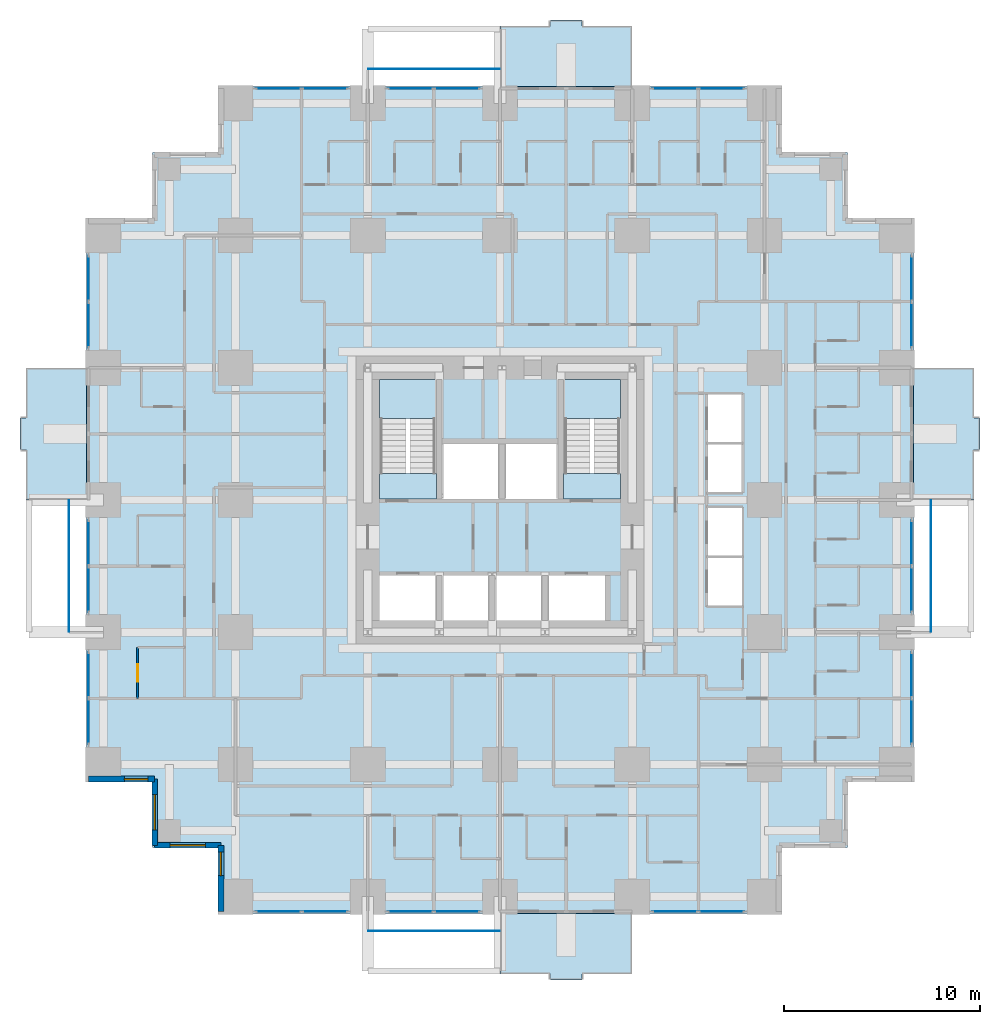
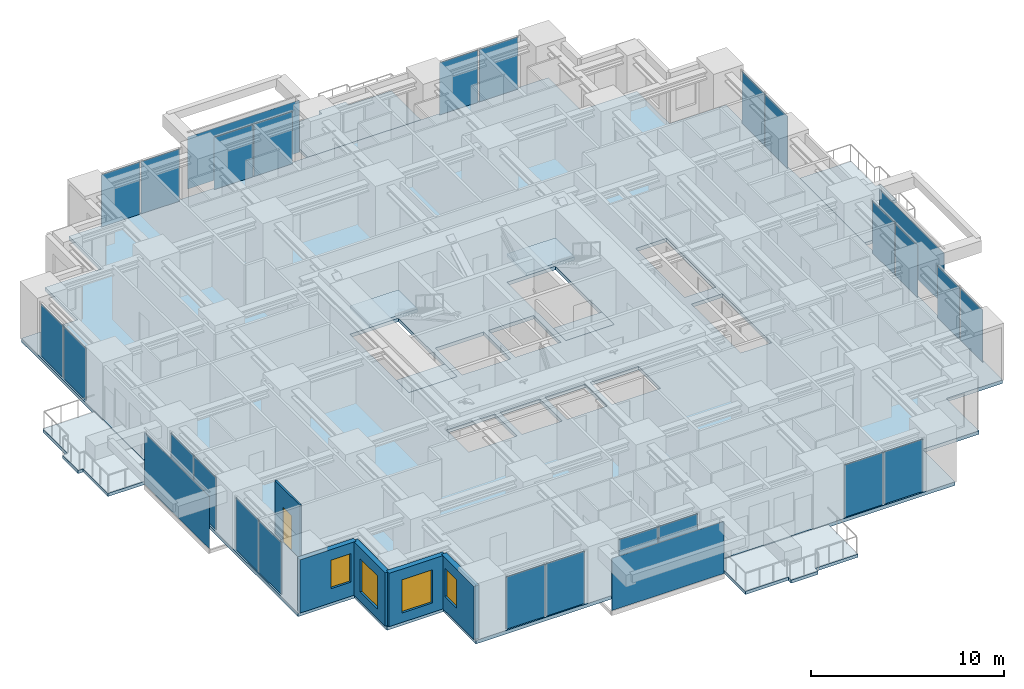
# One storey, part 7 of 14: 28 plates, 9 slabs, 5 walls, 4 windows, 1 door, 5 openings, 14 elements without a shape of their own.
"""IFC4 building model written with IfcOpenShell, lengths in metres."""

import ifcopenshell
import ifcopenshell.guid

model = None  # the IFC model being written
_history = None  # IfcOwnerHistory: only IFC2X3 demands one
_inside = {}  # id of a spatial element -> (the spatial element, [elements in it])
_under = {}  # id of a project, library or spatial element -> (it, [spatial elements below it])
_declared = {}  # id of a project -> (the project, [libraries it declares])
_typed = {}  # id of a type object -> (the type object, [elements of that type])
_made_of = {}  # id of a material, layer set ... -> (it, [elements and type objects made of it])


def new_model(schema):
    """Start an empty IFC model of exactly this schema.

    Asked for "IFC4X3", IfcOpenShell would pick the latest addendum, in which some entities
    have other attributes; the version numbers below select the first issue.
    IFC2X3 requires an IfcOwnerHistory on every rooted entity: one is made here for all.
    """
    global model, _history
    if schema == "IFC4X3":
        model = ifcopenshell.file(schema_version=(4, 3, 0, 0))
    else:
        model = ifcopenshell.file(schema=schema)
    _inside.clear()
    _under.clear()
    _declared.clear()
    _typed.clear()
    _made_of.clear()
    _history = None
    if model.schema == "IFC2X3":
        org = make("IfcOrganization", Name="unknown")
        user = make(
            "IfcPersonAndOrganization",
            ThePerson=make("IfcPerson", FamilyName="unknown"),
            TheOrganization=org,
        )
        app = make(
            "IfcApplication",
            ApplicationDeveloper=org,
            Version="unknown",
            ApplicationFullName="unknown",
            ApplicationIdentifier="unknown",
        )
        _history = make(
            "IfcOwnerHistory",
            OwningUser=user,
            OwningApplication=app,
            ChangeAction="ADDED",
            CreationDate=0,
        )
    return model


def make(cls, **values):
    """One entity of the class cls with the attributes given. An attribute that is None is left unset."""
    return model.create_entity(
        cls, **{name: value for name, value in values.items() if value is not None}
    )


def rooted(cls, **values):
    """An entity with a GlobalId (a new one), such as an element, a storey or a relation."""
    return make(cls, GlobalId=ifcopenshell.guid.new(), OwnerHistory=_history, **values)


def si_unit(unit_type, name, prefix=None):
    """IfcSIUnit, for example si_unit("LENGTHUNIT", "METRE", prefix="MILLI")."""
    return make("IfcSIUnit", UnitType=unit_type, Prefix=prefix, Name=name)


def assignment(units):
    """IfcUnitAssignment: the units of a project."""
    return None if units is None else make("IfcUnitAssignment", Units=units)


def point(xyz):
    """IfcCartesianPoint."""
    return None if xyz is None else make("IfcCartesianPoint", Coordinates=xyz)


def direction(xyz):
    """IfcDirection."""
    return None if xyz is None else make("IfcDirection", DirectionRatios=xyz)


def frame(location, z_axis=None, x_axis=None):
    """IfcAxis2Placement3D, a coordinate frame: its origin and axes. An axis left out is left unset."""
    return make(
        "IfcAxis2Placement3D",
        Location=point(location),
        Axis=direction(z_axis),
        RefDirection=direction(x_axis),
    )


def frame_2d(location, x_axis=None):
    """IfcAxis2Placement2D, a coordinate frame in the plane: its origin and x axis."""
    return make(
        "IfcAxis2Placement2D", Location=point(location), RefDirection=direction(x_axis)
    )


def origin():
    """The frame at (0, 0, 0) with its axes left unset."""
    return frame((0.0, 0.0, 0.0))


def origin_2d():
    """The frame at (0, 0) in the plane with its x axis left unset."""
    return frame_2d((0.0, 0.0))


def place(relative_to, where):
    """IfcLocalPlacement: puts the frame where relative to a parent placement (None: the world)."""
    return make(
        "IfcLocalPlacement", PlacementRelTo=relative_to, RelativePlacement=where
    )


def context(
    kind, dimensions, precision=None, world=None, true_north=None, identifier=None
):
    """IfcGeometricRepresentationContext, for example the 3D "Model" context."""
    return make(
        "IfcGeometricRepresentationContext",
        ContextIdentifier=identifier,
        ContextType=kind,
        CoordinateSpaceDimension=dimensions,
        Precision=precision,
        WorldCoordinateSystem=world,
        TrueNorth=true_north,
    )


def subcontext(parent, identifier, kind, view, scale=None):
    """IfcGeometricRepresentationSubContext, for example "Body" below "Model"."""
    return make(
        "IfcGeometricRepresentationSubContext",
        ContextIdentifier=identifier,
        ContextType=kind,
        ParentContext=parent,
        TargetScale=scale,
        TargetView=view,
    )


def project(units=None, contexts=None):
    """IfcProject with its units and contexts."""
    return rooted(
        "IfcProject",
        Name="project",
        RepresentationContexts=contexts,
        UnitsInContext=assignment(units),
    )


def spatial(cls, under=None, at=None, **own):
    """A site, building, storey or space (cls), placed at a placement, below another one or the project."""
    s = rooted(cls, ObjectPlacement=at, **own)
    if under is not None:
        _under.setdefault(under.id(), (under, []))[1].append(s)
    return s


def polyline(points):
    """IfcPolyline through the points."""
    return make("IfcPolyline", Points=[point(p) for p in points])


def profile(cls, at=None, kind="AREA", **sizes):
    """A parametric profile (cls). Its sizes go by their IFC names, for example OverallWidth=200.0."""
    return make(cls, ProfileType=kind, Position=at, **sizes)


def rectangle(**sizes):
    """IfcRectangleProfileDef."""
    return profile("IfcRectangleProfileDef", **sizes)


def outline(outer, holes=None, kind="AREA"):
    """IfcArbitraryClosedProfileDef: a profile drawn as a closed curve; with holes, ...WithVoids."""
    if holes is None:
        return make("IfcArbitraryClosedProfileDef", ProfileType=kind, OuterCurve=outer)
    return make(
        "IfcArbitraryProfileDefWithVoids",
        ProfileType=kind,
        OuterCurve=outer,
        InnerCurves=holes,
    )


def extrude(swept, where, along, depth):
    """IfcExtrudedAreaSolid: the profile swept, set in the frame where, extruded along a direction by depth."""
    return make(
        "IfcExtrudedAreaSolid",
        SweptArea=swept,
        Position=where,
        ExtrudedDirection=direction(along),
        Depth=depth,
    )


def shape(context_of_items, identifier, shape_type, items):
    """IfcShapeRepresentation: the items that make up one representation, for example the "Body"."""
    return make(
        "IfcShapeRepresentation",
        ContextOfItems=context_of_items,
        RepresentationIdentifier=identifier,
        RepresentationType=shape_type,
        Items=items,
    )


def material(Name=None, Category=None):
    """IfcMaterial."""
    return make("IfcMaterial", Name=Name, Category=Category)


def layer(
    of_material, thickness, ventilated=None, Name=None, Category=None, Priority=None
):
    """IfcMaterialLayer: one layer of a wall or slab, of a material (None: an air gap)."""
    return make(
        "IfcMaterialLayer",
        Material=of_material,
        LayerThickness=thickness,
        IsVentilated=ventilated,
        Name=Name,
        Category=Category,
        Priority=Priority,
    )


def layer_set(layers, Name=None):
    """IfcMaterialLayerSet."""
    return make("IfcMaterialLayerSet", MaterialLayers=layers, LayerSetName=Name)


def made_of(thing, what):
    """Note that an element or type object is made of a material, layer set ...; save() writes the relation."""
    if what is not None:
        _made_of.setdefault(what.id(), (what, []))[1].append(thing)
    return thing


def type_object(cls, material=None, **own):
    """A type object (cls), such as IfcWallType, which elements share."""
    return made_of(rooted(cls, **own), material)


def element(
    cls,
    number,
    at=None,
    inside=None,
    cuts=None,
    type_object=None,
    material=None,
    context=None,
    identifier="Body",
    shape_type=None,
    held_by="IfcProductDefinitionShape",
    body=None,
    shapes=None,
    **own,
):
    """One element of the class cls, such as IfcWall. Its Tag is "e" and its number.

    at: its placement. inside: the storey or other place that contains it. cuts: it is an
    opening in that element (IfcRelVoidsElement). A single representation is given by context,
    identifier, shape_type and body (its items); several are given by shapes. held_by: the class
    of the entity that holds the representations. save() writes the other relations.
    """
    e = rooted(cls, Tag="e%d" % number, ObjectPlacement=at, **own)
    if body is not None:
        shapes = [shape(context, identifier, shape_type, body)]
    if shapes is not None:
        e.Representation = make(held_by, Representations=shapes)
    if inside is not None:
        _inside.setdefault(inside.id(), (inside, []))[1].append(e)
    if cuts is not None:
        rooted(
            "IfcRelVoidsElement", RelatingBuildingElement=cuts, RelatedOpeningElement=e
        )
    if type_object is not None:
        _typed.setdefault(type_object.id(), (type_object, []))[1].append(e)
    return made_of(e, material)


def fill(opening, filler):
    """IfcRelFillsElement: the door or window that sits in an opening."""
    return rooted(
        "IfcRelFillsElement",
        RelatingOpeningElement=opening,
        RelatedBuildingElement=filler,
    )


def aggregate(whole, parts):
    """IfcRelAggregates: a whole, such as a stair, and the parts it consists of."""
    return rooted("IfcRelAggregates", RelatingObject=whole, RelatedObjects=parts)


def save(model, path):
    """Write the relations noted so far, then the file.

    IfcRelAggregates (storeys below a building ...), IfcRelContainedInSpatialStructure (elements
    in a storey), IfcRelDefinesByType, IfcRelAssociatesMaterial and IfcRelDeclares: one each for
    every whole, place, type object, material and project.
    """
    for whole, parts in _under.values():
        aggregate(whole, parts)
    for where, things in _inside.values():
        rooted(
            "IfcRelContainedInSpatialStructure",
            RelatedElements=things,
            RelatingStructure=where,
        )
    for kind, things in _typed.values():
        rooted("IfcRelDefinesByType", RelatedObjects=things, RelatingType=kind)
    for what, things in _made_of.values():
        rooted("IfcRelAssociatesMaterial", RelatedObjects=things, RelatingMaterial=what)
    for by, libraries in _declared.values():
        rooted("IfcRelDeclares", RelatingContext=by, RelatedDefinitions=libraries)
    model.write(path)


model = new_model("IFC4")

# Units and contexts
model_context = context("Model", 3, precision=1e-05, world=origin(), true_north=direction((0.0, 1.0)))
body_context = subcontext(model_context, "Body", "Model", "MODEL_VIEW")
ifc_project = project(units=[si_unit("LENGTHUNIT", "METRE"), si_unit("AREAUNIT", "SQUARE_METRE"), si_unit("VOLUMEUNIT", "CUBIC_METRE"), si_unit("PLANEANGLEUNIT", "RADIAN"), si_unit("MASSUNIT", "GRAM", prefix="KILO")], contexts=[model_context])

# Site, building, storey
site_placement = place(None, origin())
site = spatial("IfcSite", under=ifc_project, at=site_placement, CompositionType="ELEMENT")
building_placement = place(site_placement, origin())
building = spatial("IfcBuilding", under=site, at=building_placement, Name="Nyansa Garden Tower", CompositionType="ELEMENT")
storey_placement = place(building_placement, frame((0.0, 0.0, 57.60009765625)))
storey = spatial("IfcBuildingStorey", under=building, at=storey_placement, Name="L15", CompositionType="ELEMENT", Elevation=57.60009765625)

# Slabs
ifc_material_1 = material(Name="Concrete C40/50", Category="concrete")
ifc_layer_1 = layer(ifc_material_1, 0.199951171875)
ifc_layer_set_1 = layer_set([ifc_layer_1], Name="Balcony slab BS200")
slab_type_1 = type_object("IfcSlabType", Name="Balcony slab BS200", PredefinedType="FLOOR", material=ifc_layer_set_1)
slab_1_placement = place(storey_placement, frame((0.0, 0.0, -0.239990234375)))
element("IfcSlab", 1, at=slab_1_placement, inside=storey, type_object=slab_type_1, Name="Balcony L15 S", PredefinedType="FLOOR", context=body_context, shape_type="SweptSolid", body=[
    extrude(outline(polyline([(20.25, -0.85009765625), (27.0, -0.85009765625), (27.0, -3.949951171875), (24.425048828125, -3.949951171875), (24.425048828125, -4.25), (22.824951171875, -4.25), (22.824951171875, -3.949951171875), (20.25, -3.949951171875), (20.25, -0.85009765625)])), origin(), (0.0, 0.0, 1.0), 0.199951171875),
])
slab_2_placement = place(storey_placement, frame((0.0, 0.0, -0.239990234375)))
element("IfcSlab", 2, at=slab_2_placement, inside=storey, type_object=slab_type_1, Name="Balcony L15 E", PredefinedType="FLOOR", context=body_context, shape_type="SweptSolid", body=[
    extrude(outline(polyline([(41.35009765625, 20.25), (41.35009765625, 27.0), (44.449951171875, 27.0), (44.449951171875, 24.425048828125), (44.75, 24.425048828125), (44.75, 22.824951171875), (44.449951171875, 22.824951171875), (44.449951171875, 20.25), (41.35009765625, 20.25)])), origin(), (0.0, 0.0, 1.0), 0.199951171875),
])
slab_3_placement = place(storey_placement, frame((0.0, 0.0, -0.239990234375)))
element("IfcSlab", 3, at=slab_3_placement, inside=storey, type_object=slab_type_1, Name="Balcony L15 N", PredefinedType="FLOOR", context=body_context, shape_type="SweptSolid", body=[
    extrude(outline(polyline([(20.25, 41.35009765625), (27.0, 41.35009765625), (27.0, 44.449951171875), (24.425048828125, 44.449951171875), (24.425048828125, 44.75), (22.824951171875, 44.75), (22.824951171875, 44.449951171875), (20.25, 44.449951171875), (20.25, 41.35009765625)])), origin(), (0.0, 0.0, 1.0), 0.199951171875),
])
slab_4_placement = place(storey_placement, frame((0.0, 0.0, -0.239990234375)))
element("IfcSlab", 4, at=slab_4_placement, inside=storey, type_object=slab_type_1, Name="Balcony L15 W", PredefinedType="FLOOR", context=body_context, shape_type="SweptSolid", body=[
    extrude(outline(polyline([(-0.85009765625, 20.25), (-0.85009765625, 27.0), (-3.949951171875, 27.0), (-3.949951171875, 24.425048828125), (-4.25, 24.425048828125), (-4.25, 22.824951171875), (-3.949951171875, 22.824951171875), (-3.949951171875, 20.25), (-0.85009765625, 20.25)])), origin(), (0.0, 0.0, 1.0), 0.199951171875),
])

# Curtain wall, plates
ifc_material_2 = material(Name="Black anodised aluminium, dark tinted double glazing", Category="aluminium")
curtain_wall_type = type_object("IfcCurtainWallType", Name="Inner skin curtain wall ISW-A", PredefinedType="USERDEFINED", material=ifc_material_2)
curtain_wall_1_placement = place(storey_placement, origin())
curtain_wall_1 = element("IfcCurtainWall", 5, at=curtain_wall_1_placement, inside=storey, type_object=curtain_wall_type, Name="Inner skin curtain wall L15 E", ObjectType="UNITISED CURTAIN WALL", PredefinedType="USERDEFINED")
ifc_material_3 = material(Name="Dark tinted laminated double glazing", Category="glass")
ifc_layer_2 = layer(ifc_material_3, 0.031982421875)
ifc_layer_set_2 = layer_set([ifc_layer_2], Name="Dark tinted vision panel VP-A")
plate_type_1 = type_object("IfcPlateType", Name="Dark tinted vision panel VP-A", PredefinedType="CURTAIN_PANEL", material=ifc_layer_set_2)
plate_1_placement = place(storey_placement, frame((41.25, 8.9375, -0.000244140625), z_axis=(0.0, 0.0, 1.0), x_axis=(0.0, 1.0, 0.0)))
plate_1 = element("IfcPlate", 6, at=plate_1_placement, type_object=plate_type_1, Name="ISW-A panel 1", PredefinedType="CURTAIN_PANEL", context=body_context, shape_type="SweptSolid", body=[
    extrude(rectangle(XDim=2.31005859375, YDim=0.031982421875, at=origin_2d()), origin(), (0.0, 0.0, 1.0), 3.31005859375),
])
plate_2_placement = place(storey_placement, frame((41.25, 11.3125, -0.000244140625), z_axis=(0.0, 0.0, 1.0), x_axis=(0.0, 1.0, 0.0)))
plate_2 = element("IfcPlate", 7, at=plate_2_placement, type_object=plate_type_1, Name="ISW-A panel 2", PredefinedType="CURTAIN_PANEL", context=body_context, shape_type="SweptSolid", body=[
    extrude(rectangle(XDim=2.31005859375, YDim=0.031982421875, at=origin_2d()), origin(), (0.0, 0.0, 1.0), 3.31005859375),
])
aggregate(curtain_wall_1, [plate_1, plate_2])

curtain_wall_2_placement = place(storey_placement, origin())
curtain_wall_2 = element("IfcCurtainWall", 8, at=curtain_wall_2_placement, inside=storey, type_object=curtain_wall_type, Name="Inner skin curtain wall L15 E", ObjectType="UNITISED CURTAIN WALL", PredefinedType="USERDEFINED")
plate_3_placement = place(storey_placement, frame((41.25, 15.6875, -0.000244140625), z_axis=(0.0, 0.0, 1.0), x_axis=(0.0, 1.0, 0.0)))
plate_3 = element("IfcPlate", 9, at=plate_3_placement, type_object=plate_type_1, Name="ISW-A panel 1", PredefinedType="CURTAIN_PANEL", context=body_context, shape_type="SweptSolid", body=[
    extrude(rectangle(XDim=2.31005859375, YDim=0.031982421875, at=origin_2d()), origin(), (0.0, 0.0, 1.0), 3.31005859375),
])
plate_4_placement = place(storey_placement, frame((41.25, 18.0625, -0.000244140625), z_axis=(0.0, 0.0, 1.0), x_axis=(0.0, 1.0, 0.0)))
plate_4 = element("IfcPlate", 10, at=plate_4_placement, type_object=plate_type_1, Name="ISW-A panel 2", PredefinedType="CURTAIN_PANEL", context=body_context, shape_type="SweptSolid", body=[
    extrude(rectangle(XDim=2.31005859375, YDim=0.031982421875, at=origin_2d()), origin(), (0.0, 0.0, 1.0), 3.31005859375),
])
aggregate(curtain_wall_2, [plate_3, plate_4])

curtain_wall_3_placement = place(storey_placement, origin())
curtain_wall_3 = element("IfcCurtainWall", 11, at=curtain_wall_3_placement, inside=storey, type_object=curtain_wall_type, Name="Inner skin curtain wall L15 E", ObjectType="UNITISED CURTAIN WALL", PredefinedType="USERDEFINED")
plate_5_placement = place(storey_placement, frame((41.25, 29.1875, -0.000244140625), z_axis=(0.0, 0.0, 1.0), x_axis=(0.0, 1.0, 0.0)))
plate_5 = element("IfcPlate", 12, at=plate_5_placement, type_object=plate_type_1, Name="ISW-A panel 1", PredefinedType="CURTAIN_PANEL", context=body_context, shape_type="SweptSolid", body=[
    extrude(rectangle(XDim=2.31005859375, YDim=0.031982421875, at=origin_2d()), origin(), (0.0, 0.0, 1.0), 3.31005859375),
])
plate_6_placement = place(storey_placement, frame((41.25, 31.5625, -0.000244140625), z_axis=(0.0, 0.0, 1.0), x_axis=(0.0, 1.0, 0.0)))
plate_6 = element("IfcPlate", 13, at=plate_6_placement, type_object=plate_type_1, Name="ISW-A panel 2", PredefinedType="CURTAIN_PANEL", context=body_context, shape_type="SweptSolid", body=[
    extrude(rectangle(XDim=2.31005859375, YDim=0.031982421875, at=origin_2d()), origin(), (0.0, 0.0, 1.0), 3.31005859375),
])
aggregate(curtain_wall_3, [plate_5, plate_6])

curtain_wall_4_placement = place(storey_placement, origin())
curtain_wall_4 = element("IfcCurtainWall", 14, at=curtain_wall_4_placement, inside=storey, type_object=curtain_wall_type, Name="Inner skin curtain wall L15 N", ObjectType="UNITISED CURTAIN WALL", PredefinedType="USERDEFINED")
plate_7_placement = place(storey_placement, frame((18.0625, 41.25, -0.000244140625), z_axis=(0.0, 0.0, 1.0), x_axis=(-1.0, 0.0, 0.0)))
plate_7 = element("IfcPlate", 15, at=plate_7_placement, type_object=plate_type_1, Name="ISW-A panel 1", PredefinedType="CURTAIN_PANEL", context=body_context, shape_type="SweptSolid", body=[
    extrude(rectangle(XDim=2.31005859375, YDim=0.031982421875, at=origin_2d()), origin(), (0.0, 0.0, 1.0), 3.31005859375),
])
plate_8_placement = place(storey_placement, frame((15.6875, 41.25, -0.000244140625), z_axis=(0.0, 0.0, 1.0), x_axis=(-1.0, 0.0, 0.0)))
plate_8 = element("IfcPlate", 16, at=plate_8_placement, type_object=plate_type_1, Name="ISW-A panel 2", PredefinedType="CURTAIN_PANEL", context=body_context, shape_type="SweptSolid", body=[
    extrude(rectangle(XDim=2.31005859375, YDim=0.031982421875, at=origin_2d()), origin(), (0.0, 0.0, 1.0), 3.31005859375),
])
aggregate(curtain_wall_4, [plate_7, plate_8])

curtain_wall_5_placement = place(storey_placement, origin())
curtain_wall_5 = element("IfcCurtainWall", 17, at=curtain_wall_5_placement, inside=storey, type_object=curtain_wall_type, Name="Inner skin curtain wall L15 N", ObjectType="UNITISED CURTAIN WALL", PredefinedType="USERDEFINED")
plate_9_placement = place(storey_placement, frame((11.3125, 41.25, -0.000244140625), z_axis=(0.0, 0.0, 1.0), x_axis=(-1.0, 0.0, 0.0)))
plate_9 = element("IfcPlate", 18, at=plate_9_placement, type_object=plate_type_1, Name="ISW-A panel 1", PredefinedType="CURTAIN_PANEL", context=body_context, shape_type="SweptSolid", body=[
    extrude(rectangle(XDim=2.31005859375, YDim=0.031982421875, at=origin_2d()), origin(), (0.0, 0.0, 1.0), 3.31005859375),
])
plate_10_placement = place(storey_placement, frame((8.9375, 41.25, -0.000244140625), z_axis=(0.0, 0.0, 1.0), x_axis=(-1.0, 0.0, 0.0)))
plate_10 = element("IfcPlate", 19, at=plate_10_placement, type_object=plate_type_1, Name="ISW-A panel 2", PredefinedType="CURTAIN_PANEL", context=body_context, shape_type="SweptSolid", body=[
    extrude(rectangle(XDim=2.31005859375, YDim=0.031982421875, at=origin_2d()), origin(), (0.0, 0.0, 1.0), 3.31005859375),
])
aggregate(curtain_wall_5, [plate_9, plate_10])

curtain_wall_6_placement = place(storey_placement, origin())
curtain_wall_6 = element("IfcCurtainWall", 20, at=curtain_wall_6_placement, inside=storey, type_object=curtain_wall_type, Name="Inner skin curtain wall L15 N", ObjectType="UNITISED CURTAIN WALL", PredefinedType="USERDEFINED")
plate_11_placement = place(storey_placement, frame((31.5625, 41.25, -0.000244140625), z_axis=(0.0, 0.0, 1.0), x_axis=(-1.0, 0.0, 0.0)))
plate_11 = element("IfcPlate", 21, at=plate_11_placement, type_object=plate_type_1, Name="ISW-A panel 1", PredefinedType="CURTAIN_PANEL", context=body_context, shape_type="SweptSolid", body=[
    extrude(rectangle(XDim=2.31005859375, YDim=0.031982421875, at=origin_2d()), origin(), (0.0, 0.0, 1.0), 3.31005859375),
])
plate_12_placement = place(storey_placement, frame((29.1875, 41.25, -0.000244140625), z_axis=(0.0, 0.0, 1.0), x_axis=(-1.0, 0.0, 0.0)))
plate_12 = element("IfcPlate", 22, at=plate_12_placement, type_object=plate_type_1, Name="ISW-A panel 2", PredefinedType="CURTAIN_PANEL", context=body_context, shape_type="SweptSolid", body=[
    extrude(rectangle(XDim=2.31005859375, YDim=0.031982421875, at=origin_2d()), origin(), (0.0, 0.0, 1.0), 3.31005859375),
])
aggregate(curtain_wall_6, [plate_11, plate_12])

curtain_wall_7_placement = place(storey_placement, origin())
curtain_wall_7 = element("IfcCurtainWall", 23, at=curtain_wall_7_placement, inside=storey, type_object=curtain_wall_type, Name="Inner skin curtain wall L15 W", ObjectType="UNITISED CURTAIN WALL", PredefinedType="USERDEFINED")
plate_13_placement = place(storey_placement, frame((-0.75, 18.0625, -0.000244140625), z_axis=(0.0, 0.0, 1.0), x_axis=(0.0, -1.0, 0.0)))
plate_13 = element("IfcPlate", 24, at=plate_13_placement, type_object=plate_type_1, Name="ISW-A panel 1", PredefinedType="CURTAIN_PANEL", context=body_context, shape_type="SweptSolid", body=[
    extrude(rectangle(XDim=2.31005859375, YDim=0.031982421875, at=origin_2d()), origin(), (0.0, 0.0, 1.0), 3.31005859375),
])
plate_14_placement = place(storey_placement, frame((-0.75, 15.6875, -0.000244140625), z_axis=(0.0, 0.0, 1.0), x_axis=(0.0, -1.0, 0.0)))
plate_14 = element("IfcPlate", 25, at=plate_14_placement, type_object=plate_type_1, Name="ISW-A panel 2", PredefinedType="CURTAIN_PANEL", context=body_context, shape_type="SweptSolid", body=[
    extrude(rectangle(XDim=2.31005859375, YDim=0.031982421875, at=origin_2d()), origin(), (0.0, 0.0, 1.0), 3.31005859375),
])
aggregate(curtain_wall_7, [plate_13, plate_14])

curtain_wall_8_placement = place(storey_placement, origin())
curtain_wall_8 = element("IfcCurtainWall", 26, at=curtain_wall_8_placement, inside=storey, type_object=curtain_wall_type, Name="Inner skin curtain wall L15 W", ObjectType="UNITISED CURTAIN WALL", PredefinedType="USERDEFINED")
plate_15_placement = place(storey_placement, frame((-0.75, 11.3125, -0.000244140625), z_axis=(0.0, 0.0, 1.0), x_axis=(0.0, -1.0, 0.0)))
plate_15 = element("IfcPlate", 27, at=plate_15_placement, type_object=plate_type_1, Name="ISW-A panel 1", PredefinedType="CURTAIN_PANEL", context=body_context, shape_type="SweptSolid", body=[
    extrude(rectangle(XDim=2.31005859375, YDim=0.031982421875, at=origin_2d()), origin(), (0.0, 0.0, 1.0), 3.31005859375),
])
plate_16_placement = place(storey_placement, frame((-0.75, 8.9375, -0.000244140625), z_axis=(0.0, 0.0, 1.0), x_axis=(0.0, -1.0, 0.0)))
plate_16 = element("IfcPlate", 28, at=plate_16_placement, type_object=plate_type_1, Name="ISW-A panel 2", PredefinedType="CURTAIN_PANEL", context=body_context, shape_type="SweptSolid", body=[
    extrude(rectangle(XDim=2.31005859375, YDim=0.031982421875, at=origin_2d()), origin(), (0.0, 0.0, 1.0), 3.31005859375),
])
aggregate(curtain_wall_8, [plate_15, plate_16])

curtain_wall_9_placement = place(storey_placement, origin())
curtain_wall_9 = element("IfcCurtainWall", 29, at=curtain_wall_9_placement, inside=storey, type_object=curtain_wall_type, Name="Inner skin curtain wall L15 W", ObjectType="UNITISED CURTAIN WALL", PredefinedType="USERDEFINED")
plate_17_placement = place(storey_placement, frame((-0.75, 31.5625, -0.000244140625), z_axis=(0.0, 0.0, 1.0), x_axis=(0.0, -1.0, 0.0)))
plate_17 = element("IfcPlate", 30, at=plate_17_placement, type_object=plate_type_1, Name="ISW-A panel 1", PredefinedType="CURTAIN_PANEL", context=body_context, shape_type="SweptSolid", body=[
    extrude(rectangle(XDim=2.31005859375, YDim=0.031982421875, at=origin_2d()), origin(), (0.0, 0.0, 1.0), 3.31005859375),
])
plate_18_placement = place(storey_placement, frame((-0.75, 29.1875, -0.000244140625), z_axis=(0.0, 0.0, 1.0), x_axis=(0.0, -1.0, 0.0)))
plate_18 = element("IfcPlate", 31, at=plate_18_placement, type_object=plate_type_1, Name="ISW-A panel 2", PredefinedType="CURTAIN_PANEL", context=body_context, shape_type="SweptSolid", body=[
    extrude(rectangle(XDim=2.31005859375, YDim=0.031982421875, at=origin_2d()), origin(), (0.0, 0.0, 1.0), 3.31005859375),
])
aggregate(curtain_wall_9, [plate_17, plate_18])

curtain_wall_10_placement = place(storey_placement, origin())
curtain_wall_10 = element("IfcCurtainWall", 32, at=curtain_wall_10_placement, inside=storey, type_object=curtain_wall_type, Name="Inner skin curtain wall L15 S", ObjectType="UNITISED CURTAIN WALL", PredefinedType="USERDEFINED")
plate_19_placement = place(storey_placement, frame((8.9375, -0.75, -0.000244140625), z_axis=(0.0, 0.0, 1.0), x_axis=(1.0, 0.0, 0.0)))
plate_19 = element("IfcPlate", 33, at=plate_19_placement, type_object=plate_type_1, Name="ISW-A panel 1", PredefinedType="CURTAIN_PANEL", context=body_context, shape_type="SweptSolid", body=[
    extrude(rectangle(XDim=2.31005859375, YDim=0.031982421875, at=origin_2d()), origin(), (0.0, 0.0, 1.0), 3.31005859375),
])
plate_20_placement = place(storey_placement, frame((11.3125, -0.75, -0.000244140625), z_axis=(0.0, 0.0, 1.0), x_axis=(1.0, 0.0, 0.0)))
plate_20 = element("IfcPlate", 34, at=plate_20_placement, type_object=plate_type_1, Name="ISW-A panel 2", PredefinedType="CURTAIN_PANEL", context=body_context, shape_type="SweptSolid", body=[
    extrude(rectangle(XDim=2.31005859375, YDim=0.031982421875, at=origin_2d()), origin(), (0.0, 0.0, 1.0), 3.31005859375),
])
aggregate(curtain_wall_10, [plate_19, plate_20])

curtain_wall_11_placement = place(storey_placement, origin())
curtain_wall_11 = element("IfcCurtainWall", 35, at=curtain_wall_11_placement, inside=storey, type_object=curtain_wall_type, Name="Inner skin curtain wall L15 S", ObjectType="UNITISED CURTAIN WALL", PredefinedType="USERDEFINED")
plate_21_placement = place(storey_placement, frame((15.6875, -0.75, -0.000244140625), z_axis=(0.0, 0.0, 1.0), x_axis=(1.0, 0.0, 0.0)))
plate_21 = element("IfcPlate", 36, at=plate_21_placement, type_object=plate_type_1, Name="ISW-A panel 1", PredefinedType="CURTAIN_PANEL", context=body_context, shape_type="SweptSolid", body=[
    extrude(rectangle(XDim=2.31005859375, YDim=0.031982421875, at=origin_2d()), origin(), (0.0, 0.0, 1.0), 3.31005859375),
])
plate_22_placement = place(storey_placement, frame((18.0625, -0.75, -0.000244140625), z_axis=(0.0, 0.0, 1.0), x_axis=(1.0, 0.0, 0.0)))
plate_22 = element("IfcPlate", 37, at=plate_22_placement, type_object=plate_type_1, Name="ISW-A panel 2", PredefinedType="CURTAIN_PANEL", context=body_context, shape_type="SweptSolid", body=[
    extrude(rectangle(XDim=2.31005859375, YDim=0.031982421875, at=origin_2d()), origin(), (0.0, 0.0, 1.0), 3.31005859375),
])
aggregate(curtain_wall_11, [plate_21, plate_22])

curtain_wall_12_placement = place(storey_placement, origin())
curtain_wall_12 = element("IfcCurtainWall", 38, at=curtain_wall_12_placement, inside=storey, type_object=curtain_wall_type, Name="Inner skin curtain wall L15 S", ObjectType="UNITISED CURTAIN WALL", PredefinedType="USERDEFINED")
plate_23_placement = place(storey_placement, frame((29.1875, -0.75, -0.000244140625), z_axis=(0.0, 0.0, 1.0), x_axis=(1.0, 0.0, 0.0)))
plate_23 = element("IfcPlate", 39, at=plate_23_placement, type_object=plate_type_1, Name="ISW-A panel 1", PredefinedType="CURTAIN_PANEL", context=body_context, shape_type="SweptSolid", body=[
    extrude(rectangle(XDim=2.31005859375, YDim=0.031982421875, at=origin_2d()), origin(), (0.0, 0.0, 1.0), 3.31005859375),
])
plate_24_placement = place(storey_placement, frame((31.5625, -0.75, -0.000244140625), z_axis=(0.0, 0.0, 1.0), x_axis=(1.0, 0.0, 0.0)))
plate_24 = element("IfcPlate", 40, at=plate_24_placement, type_object=plate_type_1, Name="ISW-A panel 2", PredefinedType="CURTAIN_PANEL", context=body_context, shape_type="SweptSolid", body=[
    extrude(rectangle(XDim=2.31005859375, YDim=0.031982421875, at=origin_2d()), origin(), (0.0, 0.0, 1.0), 3.31005859375),
])
aggregate(curtain_wall_12, [plate_23, plate_24])

# Slab
ifc_material_4 = material(Name="Concrete C40/50", Category="concrete")
ifc_layer_3 = layer(ifc_material_4, 0.22509765625)
ifc_layer_set_3 = layer_set([ifc_layer_3], Name="Floor slab FS225")
slab_type_2 = type_object("IfcSlabType", Name="Floor slab FS225", PredefinedType="FLOOR", material=ifc_layer_set_3)
slab_5_placement = place(storey_placement, frame((0.0, 0.0, -0.22509765625)))
element("IfcSlab", 41, at=slab_5_placement, inside=storey, type_object=slab_type_2, Name="Floor slab L15", PredefinedType="FLOOR", context=body_context, shape_type="SweptSolid", body=[
    extrude(outline(polyline([(41.35009765625, 5.89990234375), (37.97509765625, 5.89990234375), (37.97509765625, 2.52490234375), (34.60009765625, 2.52490234375), (34.60009765625, -0.85009765625), (5.89990234375, -0.85009765625), (5.89990234375, 2.52490234375), (2.52490234375, 2.52490234375), (2.52490234375, 5.89990234375), (-0.85009765625, 5.89990234375), (-0.85009765625, 34.60009765625), (2.52490234375, 34.60009765625), (2.52490234375, 37.97509765625), (5.89990234375, 37.97509765625), (5.89990234375, 41.35009765625), (34.60009765625, 41.35009765625), (34.60009765625, 37.97509765625), (37.97509765625, 37.97509765625), (37.97509765625, 34.60009765625), (41.35009765625, 34.60009765625), (41.35009765625, 5.89990234375)]), holes=[polyline([(14.10009765625, 14.10009765625), (17.0, 14.10009765625), (17.0, 16.39990234375), (14.10009765625, 16.39990234375), (14.10009765625, 14.10009765625)]), polyline([(17.300048828125, 14.10009765625), (19.699951171875, 14.10009765625), (19.699951171875, 16.39990234375), (17.300048828125, 16.39990234375), (17.300048828125, 14.10009765625)]), polyline([(20.0, 14.10009765625), (22.39990234375, 14.10009765625), (22.39990234375, 16.39990234375), (20.0, 16.39990234375), (20.0, 14.10009765625)]), polyline([(22.699951171875, 14.10009765625), (25.60009765625, 14.10009765625), (25.60009765625, 16.39990234375), (22.699951171875, 16.39990234375), (22.699951171875, 14.10009765625)]), polyline([(17.300048828125, 20.300048828125), (20.199951171875, 20.300048828125), (20.199951171875, 23.10009765625), (17.300048828125, 23.10009765625), (17.300048828125, 20.300048828125)]), polyline([(20.5, 20.300048828125), (23.199951171875, 20.300048828125), (23.199951171875, 23.10009765625), (20.5, 23.10009765625), (20.5, 20.300048828125)]), polyline([(30.800048828125, 14.800048828125), (32.64990234375, 14.800048828125), (32.64990234375, 19.89990234375), (30.800048828125, 19.89990234375), (30.800048828125, 14.800048828125)]), polyline([(30.800048828125, 20.60009765625), (32.64990234375, 20.60009765625), (32.64990234375, 25.699951171875), (30.800048828125, 25.699951171875), (30.800048828125, 20.60009765625)]), polyline([(14.10009765625, 20.300048828125), (17.0, 20.300048828125), (17.0, 26.39990234375), (14.10009765625, 26.39990234375), (14.10009765625, 20.300048828125)]), polyline([(23.5, 20.300048828125), (26.39990234375, 20.300048828125), (26.39990234375, 26.39990234375), (23.5, 26.39990234375), (23.5, 20.300048828125)])]), origin(), (0.0, 0.0, 1.0), 0.22509765625),
])

# Plates
ifc_material_5 = material(Name="Dark tinted laminated glass", Category="glass")
ifc_layer_4 = layer(ifc_material_5, 0.02392578125)
ifc_layer_set_4 = layer_set([ifc_layer_4], Name="Outer skin glass panel OS1")
plate_type_2 = type_object("IfcPlateType", Name="Outer skin glass panel OS1", PredefinedType="USERDEFINED", material=ifc_layer_set_4)
for number, where, z_axis, x_axis, name in (
    (42, (42.25, 16.875, -0.22509765625), (0.0, 0.0, 1.0), (0.0, 1.0, 0.0), "Outer skin glass panel L15"),
    (43, (16.875, 42.25, -0.22509765625), (0.0, 0.0, 1.0), (1.0, 0.0, 0.0), "Outer skin glass panel L15"),
    (44, (-1.75, 16.875, -0.22509765625), (0.0, 0.0, 1.0), (0.0, 1.0, 0.0), "Outer skin glass panel L15"),
    (45, (16.875, -1.75, -0.22509765625), (0.0, 0.0, 1.0), (1.0, 0.0, 0.0), "Outer skin glass panel L15"),
):
    element("IfcPlate", number, at=place(storey_placement, frame(where, z_axis=z_axis, x_axis=x_axis)), inside=storey, type_object=plate_type_2, Name=name, ObjectType="OUTER SKIN GLASS", PredefinedType="USERDEFINED", context=body_context, shape_type="SweptSolid", body=[
        extrude(rectangle(XDim=6.7099609375, YDim=0.02392578125, at=origin_2d()), origin(), (0.0, 0.0, 1.0), 3.300048828125),
    ])

# Stair, slabs
ifc_material_6 = material(Name="Precast concrete C40/50", Category="concrete")
stair_type_1 = type_object("IfcStairType", Name="Stair S1 164x280", PredefinedType="HALF_TURN_STAIR", material=ifc_material_6)
stair_1_placement = place(storey_placement, origin())
stair_1 = element("IfcStair", 46, at=stair_1_placement, inside=storey, type_object=stair_type_1, Name="Stair S1 L15", PredefinedType="HALF_TURN_STAIR")
ifc_material_7 = material(Name="Concrete C40/50", Category="concrete")
ifc_layer_5 = layer(ifc_material_7, 0.199951171875)
ifc_layer_set_5 = layer_set([ifc_layer_5], Name="Stair landing SL200")
slab_type_3 = type_object("IfcSlabType", Name="Stair landing SL200", PredefinedType="LANDING", material=ifc_layer_set_5)
slab_6_placement = place(storey_placement, frame((0.0, 0.0, -0.2001953125)))
slab_6 = element("IfcSlab", 47, at=slab_6_placement, type_object=slab_type_3, Name="S1 landing 1", PredefinedType="LANDING", context=body_context, shape_type="SweptSolid", body=[
    extrude(outline(polyline([(14.10009765625, 20.300048828125), (17.0, 20.300048828125), (17.0, 21.60009765625), (14.10009765625, 21.60009765625), (14.10009765625, 20.300048828125)])), origin(), (0.0, 0.0, 1.0), 0.2001953125),
])
slab_7_placement = place(storey_placement, frame((0.0, 0.0, 1.599853515625)))
slab_7 = element("IfcSlab", 48, at=slab_7_placement, type_object=slab_type_3, Name="S1 landing 2", PredefinedType="LANDING", context=body_context, shape_type="SweptSolid", body=[
    extrude(outline(polyline([(14.10009765625, 24.39990234375), (17.0, 24.39990234375), (17.0, 26.39990234375), (14.10009765625, 26.39990234375), (14.10009765625, 24.39990234375)])), origin(), (0.0, 0.0, 1.0), 0.199951171875),
])
aggregate(stair_1, [slab_6, slab_7])

ifc_material_8 = material(Name="Precast concrete C40/50", Category="concrete")
stair_type_2 = type_object("IfcStairType", Name="Stair S2 164x280", PredefinedType="HALF_TURN_STAIR", material=ifc_material_8)
stair_2_placement = place(storey_placement, origin())
stair_2 = element("IfcStair", 49, at=stair_2_placement, inside=storey, type_object=stair_type_2, Name="Stair S2 L15", PredefinedType="HALF_TURN_STAIR")
slab_8_placement = place(storey_placement, frame((0.0, 0.0, -0.2001953125)))
slab_8 = element("IfcSlab", 50, at=slab_8_placement, type_object=slab_type_3, Name="S2 landing 1", PredefinedType="LANDING", context=body_context, shape_type="SweptSolid", body=[
    extrude(outline(polyline([(23.5, 20.300048828125), (26.39990234375, 20.300048828125), (26.39990234375, 21.60009765625), (23.5, 21.60009765625), (23.5, 20.300048828125)])), origin(), (0.0, 0.0, 1.0), 0.2001953125),
])
slab_9_placement = place(storey_placement, frame((0.0, 0.0, 1.599853515625)))
slab_9 = element("IfcSlab", 51, at=slab_9_placement, type_object=slab_type_3, Name="S2 landing 2", PredefinedType="LANDING", context=body_context, shape_type="SweptSolid", body=[
    extrude(outline(polyline([(23.5, 24.39990234375), (26.39990234375, 24.39990234375), (26.39990234375, 26.39990234375), (23.5, 26.39990234375), (23.5, 24.39990234375)])), origin(), (0.0, 0.0, 1.0), 0.199951171875),
])
aggregate(stair_2, [slab_8, slab_9])

# Wall, opening, window
ifc_material_9 = material(Name="Turquoise glazed tile on concrete blockwork", Category="masonry")
ifc_layer_6 = layer(ifc_material_9, 0.300048828125)
ifc_layer_set_6 = layer_set([ifc_layer_6], Name="Tiled corner wall TW300")
wall_type_1 = type_object("IfcWallType", Name="Tiled corner wall TW300", PredefinedType="SOLIDWALL", material=ifc_layer_set_6)
wall_1_placement = place(storey_placement, frame((-0.75, 6.0, 0.0), z_axis=(0.0, 0.0, 1.0), x_axis=(1.0, 0.0, 0.0)))
wall_1 = element("IfcWall", 52, at=wall_1_placement, inside=storey, type_object=wall_type_1, Name="Tiled corner wall L15", PredefinedType="SOLIDWALL", context=body_context, shape_type="SweptSolid", body=[
    extrude(rectangle(XDim=3.375, YDim=0.300048828125, at=frame_2d((1.6875, 0.0))), origin(), (0.0, 0.0, 1.0), 3.375),
])
opening_1_placement = place(wall_1_placement, frame((1.83251953125, 0.0, 0.89990234375)))
opening_1 = element("IfcOpeningElement", 53, at=opening_1_placement, cuts=wall_1, Name="Opening W4", PredefinedType="OPENING", context=body_context, shape_type="SweptSolid", body=[
    extrude(rectangle(XDim=1.199951171875, YDim=1.800048828125, at=frame_2d((0.60009765625, 0.89990234375))), frame((0.0, 0.159912109375, 0.0), z_axis=(0.0, -1.0, 0.0), x_axis=(1.0, 0.0, 0.0)), (0.0, 0.0, 1.0), 0.320068359375),
])
ifc_material_10 = material(Name="Black aluminium frame, dark tinted double glazing", Category="aluminium")
window_type_1 = type_object("IfcWindowType", Name="Window W4 1200x1800", PartitioningType="SINGLE_PANEL", PredefinedType="WINDOW", material=ifc_material_10)
window_1_placement = place(opening_1_placement, origin())
window_1 = element("IfcWindow", 54, at=window_1_placement, inside=storey, type_object=window_type_1, Name="Corner window L15", OverallHeight=1.800048828125, OverallWidth=1.199951171875, PartitioningType="SINGLE_PANEL", PredefinedType="WINDOW", context=body_context, shape_type="SweptSolid", body=[
    extrude(rectangle(XDim=1.199951171875, YDim=1.800048828125, at=frame_2d((0.60009765625, 0.89990234375))), frame((0.0, 0.030029296875, 0.0), z_axis=(0.0, -1.0, 0.0), x_axis=(1.0, 0.0, 0.0)), (0.0, 0.0, 1.0), 0.06005859375),
])
fill(opening_1, window_1)

wall_2_placement = place(storey_placement, frame((2.625, 6.0, 0.0), z_axis=(0.0, 0.0, 1.0), x_axis=(0.0, -1.0, 0.0)))
wall_2 = element("IfcWall", 55, at=wall_2_placement, inside=storey, type_object=wall_type_1, Name="Tiled corner wall L15", PredefinedType="SOLIDWALL", context=body_context, shape_type="SweptSolid", body=[
    extrude(rectangle(XDim=3.375, YDim=0.300048828125, at=frame_2d((1.6875, 0.0))), origin(), (0.0, 0.0, 1.0), 3.375),
])
opening_2_placement = place(wall_2_placement, frame((0.78759765625, 0.0, 0.60009765625)))
opening_2 = element("IfcOpeningElement", 56, at=opening_2_placement, cuts=wall_2, Name="Opening W2", PredefinedType="OPENING", context=body_context, shape_type="SweptSolid", body=[
    extrude(rectangle(XDim=1.800048828125, YDim=2.10009765625, at=frame_2d((0.89990234375, 1.050048828125))), frame((0.0, 0.159912109375, 0.0), z_axis=(0.0, -1.0, 0.0), x_axis=(1.0, 0.0, 0.0)), (0.0, 0.0, 1.0), 0.320068359375),
])
ifc_material_11 = material(Name="Black aluminium frame, dark tinted double glazing", Category="aluminium")
window_type_2 = type_object("IfcWindowType", Name="Window W2 1800x2100", PartitioningType="SINGLE_PANEL", PredefinedType="WINDOW", material=ifc_material_11)
window_2_placement = place(opening_2_placement, origin())
window_2 = element("IfcWindow", 57, at=window_2_placement, inside=storey, type_object=window_type_2, Name="Corner window L15", OverallHeight=2.10009765625, OverallWidth=1.800048828125, PartitioningType="SINGLE_PANEL", PredefinedType="WINDOW", context=body_context, shape_type="SweptSolid", body=[
    extrude(rectangle(XDim=1.800048828125, YDim=2.10009765625, at=frame_2d((0.89990234375, 1.050048828125))), frame((0.0, 0.030029296875, 0.0), z_axis=(0.0, -1.0, 0.0), x_axis=(1.0, 0.0, 0.0)), (0.0, 0.0, 1.0), 0.06005859375),
])
fill(opening_2, window_2)

wall_3_placement = place(storey_placement, frame((2.625, 2.625, 0.0), z_axis=(0.0, 0.0, 1.0), x_axis=(1.0, 0.0, 0.0)))
wall_3 = element("IfcWall", 58, at=wall_3_placement, inside=storey, type_object=wall_type_1, Name="Tiled corner wall L15", PredefinedType="SOLIDWALL", context=body_context, shape_type="SweptSolid", body=[
    extrude(rectangle(XDim=3.375, YDim=0.300048828125, at=frame_2d((1.6875, 0.0))), origin(), (0.0, 0.0, 1.0), 3.375),
])
opening_3_placement = place(wall_3_placement, frame((0.78759765625, 0.0, 0.60009765625)))
opening_3 = element("IfcOpeningElement", 59, at=opening_3_placement, cuts=wall_3, Name="Opening W2", PredefinedType="OPENING", context=body_context, shape_type="SweptSolid", body=[
    extrude(rectangle(XDim=1.800048828125, YDim=2.10009765625, at=frame_2d((0.89990234375, 1.050048828125))), frame((0.0, 0.159912109375, 0.0), z_axis=(0.0, -1.0, 0.0), x_axis=(1.0, 0.0, 0.0)), (0.0, 0.0, 1.0), 0.320068359375),
])
window_3_placement = place(opening_3_placement, origin())
window_3 = element("IfcWindow", 60, at=window_3_placement, inside=storey, type_object=window_type_2, Name="Corner window L15", OverallHeight=2.10009765625, OverallWidth=1.800048828125, PartitioningType="SINGLE_PANEL", PredefinedType="WINDOW", context=body_context, shape_type="SweptSolid", body=[
    extrude(rectangle(XDim=1.800048828125, YDim=2.10009765625, at=frame_2d((0.89990234375, 1.050048828125))), frame((0.0, 0.030029296875, 0.0), z_axis=(0.0, -1.0, 0.0), x_axis=(1.0, 0.0, 0.0)), (0.0, 0.0, 1.0), 0.06005859375),
])
fill(opening_3, window_3)

wall_4_placement = place(storey_placement, frame((6.0, 2.625, 0.0), z_axis=(0.0, 0.0, 1.0), x_axis=(0.0, -1.0, 0.0)))
wall_4 = element("IfcWall", 61, at=wall_4_placement, inside=storey, type_object=wall_type_1, Name="Tiled corner wall L15", PredefinedType="SOLIDWALL", context=body_context, shape_type="SweptSolid", body=[
    extrude(rectangle(XDim=3.375, YDim=0.300048828125, at=frame_2d((1.6875, 0.0))), origin(), (0.0, 0.0, 1.0), 3.375),
])
opening_4_placement = place(wall_4_placement, frame((0.342529296875, 0.0, 0.89990234375)))
opening_4 = element("IfcOpeningElement", 62, at=opening_4_placement, cuts=wall_4, Name="Opening W4", PredefinedType="OPENING", context=body_context, shape_type="SweptSolid", body=[
    extrude(rectangle(XDim=1.199951171875, YDim=1.800048828125, at=frame_2d((0.60009765625, 0.89990234375))), frame((0.0, 0.159912109375, 0.0), z_axis=(0.0, -1.0, 0.0), x_axis=(1.0, 0.0, 0.0)), (0.0, 0.0, 1.0), 0.320068359375),
])
window_4_placement = place(opening_4_placement, origin())
window_4 = element("IfcWindow", 63, at=window_4_placement, inside=storey, type_object=window_type_1, Name="Corner window L15", OverallHeight=1.800048828125, OverallWidth=1.199951171875, PartitioningType="SINGLE_PANEL", PredefinedType="WINDOW", context=body_context, shape_type="SweptSolid", body=[
    extrude(rectangle(XDim=1.199951171875, YDim=1.800048828125, at=frame_2d((0.60009765625, 0.89990234375))), frame((0.0, 0.030029296875, 0.0), z_axis=(0.0, -1.0, 0.0), x_axis=(1.0, 0.0, 0.0)), (0.0, 0.0, 1.0), 0.06005859375),
])
fill(opening_4, window_4)

# Wall, opening, door
ifc_material_12 = material(Name="Moisture resistant board on steel studs, tiled", Category="steel")
ifc_layer_7 = layer(ifc_material_12, 0.10009765625)
ifc_layer_set_7 = layer_set([ifc_layer_7], Name="Wet wall PW100")
wall_type_2 = type_object("IfcWallType", Name="Wet wall PW100", PredefinedType="PARTITIONING", material=ifc_layer_set_7)
wall_5_placement = place(storey_placement, frame((1.75, 10.125, 0.0), z_axis=(0.0, 0.0, 1.0), x_axis=(0.0, 1.0, 0.0)))
wall_5 = element("IfcWall", 64, at=wall_5_placement, inside=storey, type_object=wall_type_2, Name="Wet wall", PredefinedType="PARTITIONING", context=body_context, shape_type="SweptSolid", body=[
    extrude(rectangle(XDim=2.60009765625, YDim=0.10009765625, at=frame_2d((1.300048828125, 0.0))), origin(), (0.0, 0.0, 1.0), 3.375),
])
opening_5_placement = place(wall_5_placement, frame((0.85009765625, 0.0, 0.0)))
opening_5 = element("IfcOpeningElement", 65, at=opening_5_placement, cuts=wall_5, Name="Opening D02", PredefinedType="OPENING", context=body_context, shape_type="SweptSolid", body=[
    extrude(rectangle(XDim=0.89990234375, YDim=2.199951171875, at=frame_2d((0.449951171875, 1.10009765625))), frame((0.0, 0.06005859375, 0.0), z_axis=(0.0, -1.0, 0.0), x_axis=(1.0, 0.0, 0.0)), (0.0, 0.0, 1.0), 0.1201171875),
])
ifc_material_13 = material(Name="Timber flush door", Category="wood")
door_type = type_object("IfcDoorType", Name="En-suite door D02 900x2200", OperationType="SINGLE_SWING_RIGHT", PredefinedType="DOOR", material=ifc_material_13)
door_placement = place(opening_5_placement, origin())
door = element("IfcDoor", 66, at=door_placement, inside=storey, type_object=door_type, Name="Door L15-073", OperationType="SINGLE_SWING_RIGHT", OverallHeight=2.199951171875, OverallWidth=0.89990234375, PredefinedType="DOOR", context=body_context, shape_type="SweptSolid", body=[
    extrude(rectangle(XDim=0.89990234375, YDim=2.199951171875, at=frame_2d((0.449951171875, 1.10009765625))), frame((0.0, 0.02490234375, 0.0), z_axis=(0.0, -1.0, 0.0), x_axis=(1.0, 0.0, 0.0)), (0.0, 0.0, 1.0), 0.050048828125),
])
fill(opening_5, door)

save(model, "model.ifc")
